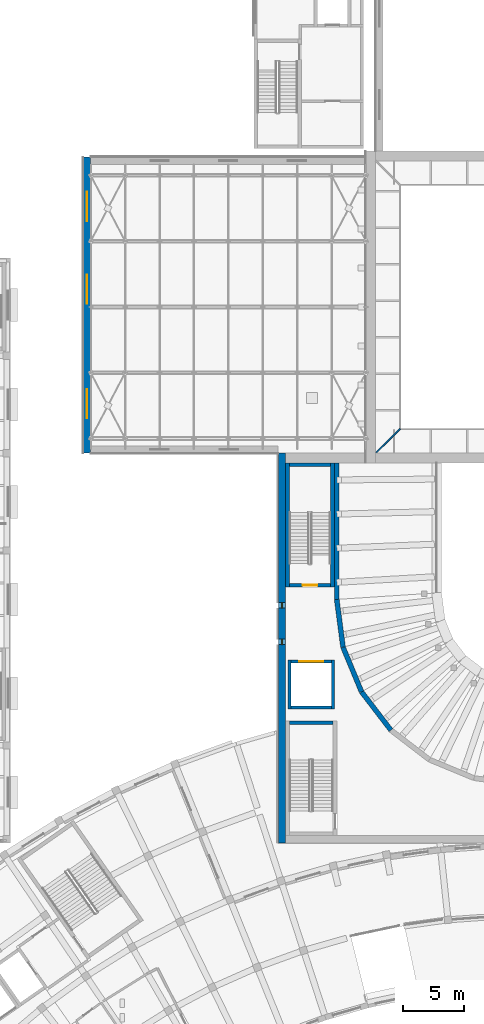
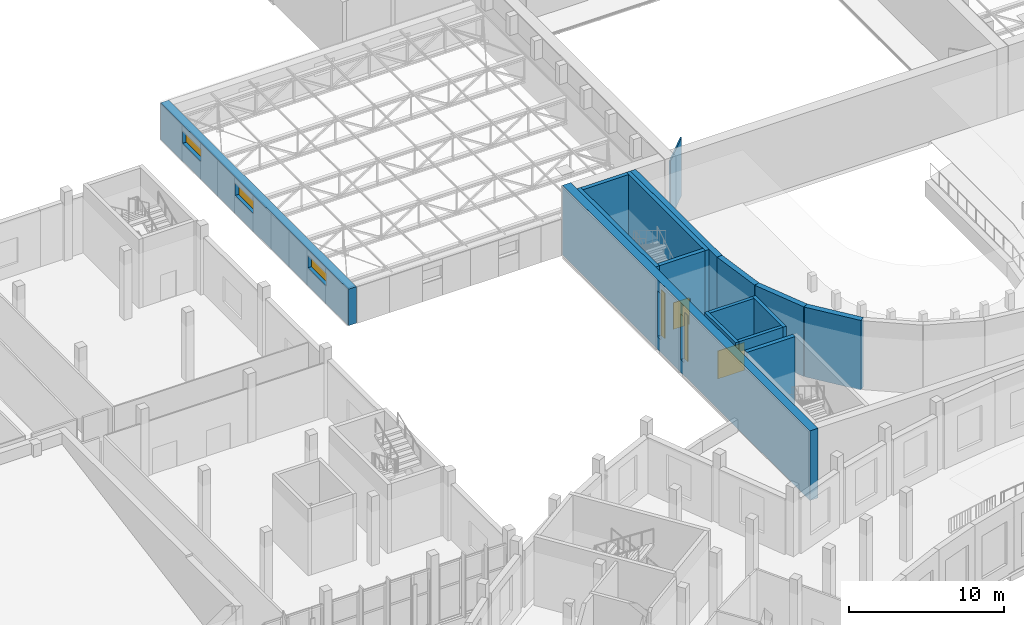
# One storey, part 75 of 132: 16 walls, 5 windows, 2 doors, 7 openings.
"""IFC4 building model written with IfcOpenShell, lengths in metres."""

from ifc_helpers import new_model, si_unit, direction, frame, frame_2d, origin, place, context, subcontext, project, spatial, rectangle, extrude, material, layer, layer_set, type_object, element, fill, save


model = new_model("IFC4")

# Units and contexts
model_context = context("Model", 3, precision=1e-05, world=origin(), true_north=direction((0.0, 1.0)))
body_context = subcontext(model_context, "Body", "Model", "MODEL_VIEW")
ifc_project = project(units=[si_unit("LENGTHUNIT", "METRE"), si_unit("AREAUNIT", "SQUARE_METRE"), si_unit("VOLUMEUNIT", "CUBIC_METRE"), si_unit("PLANEANGLEUNIT", "RADIAN"), si_unit("MASSUNIT", "GRAM", prefix="KILO")], contexts=[model_context])

# Site, building, storey
site_placement = place(None, origin())
site = spatial("IfcSite", under=ifc_project, at=site_placement, CompositionType="ELEMENT")
building_placement = place(site_placement, origin())
building = spatial("IfcBuilding", under=site, at=building_placement, Name="Lunette Opera House", CompositionType="ELEMENT")
storey_placement = place(building_placement, frame((0.0, 0.0, 17.0)))
storey = spatial("IfcBuildingStorey", under=building, at=storey_placement, Name="L03", CompositionType="ELEMENT", Elevation=17.0)

# Wall
ifc_material_1 = material(Name="Concrete C35/45", Category="concrete")
ifc_layer_1 = layer(ifc_material_1, 0.25)
ifc_layer_set_1 = layer_set([ifc_layer_1], Name="Concrete C35/45")
wall_type_1 = type_object("IfcWallType", Name="RC LIFT SHAFT WALL 250", PredefinedType="SOLIDWALL", material=ifc_layer_set_1)
wall_1_placement = place(storey_placement, frame((80.47509765625, 75.0, 0.0), z_axis=(0.0, 0.0, 1.0), x_axis=(0.0, 1.0, 0.0)))
element("IfcWall", 1, at=wall_1_placement, inside=storey, type_object=wall_type_1, Name="LF4 shaft wall 1", PredefinedType="SOLIDWALL", context=body_context, shape_type="SweptSolid", body=[
    extrude(rectangle(XDim=4.0, YDim=0.25, at=frame_2d((2.0, 0.0))), origin(), (0.0, 0.0, 1.0), 5.5),
])

# Wall, opening, door
wall_2_placement = place(storey_placement, frame((80.35009765625, 78.875, 0.0), z_axis=(0.0, 0.0, 1.0), x_axis=(-1.0, 0.0, 0.0)))
wall_2 = element("IfcWall", 2, at=wall_2_placement, inside=storey, type_object=wall_type_1, Name="LF4 shaft wall 2", PredefinedType="SOLIDWALL", context=body_context, shape_type="SweptSolid", body=[
    extrude(rectangle(XDim=3.300048828125, YDim=0.25, at=frame_2d((1.64990234375, 0.0))), origin(), (0.0, 0.0, 1.0), 5.5),
])
opening_1_placement = place(wall_2_placement, frame((0.64990234375, 0.0, 0.0)))
opening_1 = element("IfcOpeningElement", 3, at=opening_1_placement, cuts=wall_2, Name="Opening AU-LD009", PredefinedType="OPENING", context=body_context, shape_type="SweptSolid", body=[
    extrude(rectangle(XDim=2.0, YDim=2.199951171875, at=frame_2d((1.0, 1.10009765625))), frame((0.0, 0.136962890625, 0.0), z_axis=(0.0, -1.0, 0.0), x_axis=(1.0, 0.0, 0.0)), (0.0, 0.0, 1.0), 0.27392578125),
])
ifc_material_2 = material(Name="Stainless steel", Category="steel")
door_type_1 = type_object("IfcDoorType", Name="LIFT LANDING DOOR 2000 X 2200", OperationType="DOUBLE_DOOR_SLIDING", PredefinedType="DOOR", material=ifc_material_2)
door_1_placement = place(opening_1_placement, origin())
door_1 = element("IfcDoor", 4, at=door_1_placement, inside=storey, type_object=door_type_1, Name="LF4 lift landing door", OperationType="DOUBLE_DOOR_SLIDING", OverallHeight=2.199951171875, OverallWidth=2.0, PredefinedType="DOOR", context=body_context, shape_type="SweptSolid", body=[
    extrude(rectangle(XDim=2.0, YDim=2.199951171875, at=frame_2d((1.0, 1.10009765625))), frame((0.0, 0.02490234375, 0.0), z_axis=(0.0, -1.0, 0.0), x_axis=(1.0, 0.0, 0.0)), (0.0, 0.0, 1.0), 0.050048828125),
])
fill(opening_1, door_1)

# Walls
wall_3_placement = place(storey_placement, frame((76.925048828125, 79.0, 0.0), z_axis=(0.0, 0.0, 1.0), x_axis=(0.0, -1.0, 0.0)))
element("IfcWall", 5, at=wall_3_placement, inside=storey, type_object=wall_type_1, Name="LF4 shaft wall 3", PredefinedType="SOLIDWALL", context=body_context, shape_type="SweptSolid", body=[
    extrude(rectangle(XDim=4.0, YDim=0.25, at=frame_2d((2.0, 0.0))), origin(), (0.0, 0.0, 1.0), 5.5),
])
wall_4_placement = place(storey_placement, frame((77.050048828125, 75.125, 0.0), z_axis=(0.0, 0.0, 1.0), x_axis=(1.0, 0.0, 0.0)))
element("IfcWall", 6, at=wall_4_placement, inside=storey, type_object=wall_type_1, Name="LF4 shaft wall 4", PredefinedType="SOLIDWALL", context=body_context, shape_type="SweptSolid", body=[
    extrude(rectangle(XDim=3.300048828125, YDim=0.25, at=frame_2d((1.64990234375, 0.0))), origin(), (0.0, 0.0, 1.0), 5.5),
])
ifc_material_3 = material(Name="Concrete C35/45", Category="concrete")
ifc_layer_2 = layer(ifc_material_3, 0.300048828125)
ifc_layer_set_2 = layer_set([ifc_layer_2], Name="Concrete C35/45")
wall_type_2 = type_object("IfcWallType", Name="RC STAIR ENCLOSURE WALL 300", PredefinedType="SOLIDWALL", material=ifc_layer_set_2)
wall_5_placement = place(storey_placement, frame((80.449951171875, 85.0, 0.0), z_axis=(0.0, 0.0, 1.0), x_axis=(0.0, 1.0, 0.0)))
element("IfcWall", 7, at=wall_5_placement, inside=storey, type_object=wall_type_2, Name="ST10 enclosure wall 1", PredefinedType="SOLIDWALL", context=body_context, shape_type="SweptSolid", body=[
    extrude(rectangle(XDim=10.199951171875, YDim=0.300048828125, at=frame_2d((5.10009765625, 0.0))), origin(), (0.0, 0.0, 1.0), 5.5),
])
wall_6_placement = place(storey_placement, frame((80.300048828125, 95.050048828125, 0.0), z_axis=(0.0, 0.0, 1.0), x_axis=(-1.0, 0.0, 0.0)))
element("IfcWall", 8, at=wall_6_placement, inside=storey, type_object=wall_type_2, Name="ST10 enclosure wall 2", PredefinedType="SOLIDWALL", context=body_context, shape_type="SweptSolid", body=[
    extrude(rectangle(XDim=3.400146484375, YDim=0.300048828125, at=frame_2d((1.7001953125, 0.0))), origin(), (0.0, 0.0, 1.0), 5.5),
])
wall_7_placement = place(storey_placement, frame((76.75, 95.199951171875, 0.0), z_axis=(0.0, 0.0, 1.0), x_axis=(0.0, -1.0, 0.0)))
element("IfcWall", 9, at=wall_7_placement, inside=storey, type_object=wall_type_2, Name="ST10 enclosure wall 3", PredefinedType="SOLIDWALL", context=body_context, shape_type="SweptSolid", body=[
    extrude(rectangle(XDim=10.199951171875, YDim=0.300048828125, at=frame_2d((5.10009765625, 0.0))), origin(), (0.0, 0.0, 1.0), 5.5),
])

# Wall, opening, door
wall_8_placement = place(storey_placement, frame((76.89990234375, 85.14990234375, 0.0), z_axis=(0.0, 0.0, 1.0), x_axis=(1.0, 0.0, 0.0)))
wall_8 = element("IfcWall", 10, at=wall_8_placement, inside=storey, type_object=wall_type_2, Name="ST10 enclosure wall 4", PredefinedType="SOLIDWALL", context=body_context, shape_type="SweptSolid", body=[
    extrude(rectangle(XDim=3.400146484375, YDim=0.300048828125, at=frame_2d((1.7001953125, 0.0))), origin(), (0.0, 0.0, 1.0), 5.5),
])
opening_2_placement = place(wall_8_placement, frame((1.10009765625, 0.0, 0.0)))
opening_2 = element("IfcOpeningElement", 11, at=opening_2_placement, cuts=wall_8, Name="Opening AU-D7005", PredefinedType="OPENING", context=body_context, shape_type="SweptSolid", body=[
    extrude(rectangle(XDim=1.199951171875, YDim=2.10009765625, at=frame_2d((0.60009765625, 1.050048828125))), frame((0.0, 0.162109375, 0.0), z_axis=(0.0, -1.0, 0.0), x_axis=(1.0, 0.0, 0.0)), (0.0, 0.0, 1.0), 0.323974609375),
])
ifc_material_4 = material(Name="Steel", Category="steel")
door_type_2 = type_object("IfcDoorType", Name="FIRE DOOR 1200 X 2100", OperationType="SINGLE_SWING_LEFT", PredefinedType="DOOR", material=ifc_material_4)
door_2_placement = place(opening_2_placement, origin())
door_2 = element("IfcDoor", 12, at=door_2_placement, inside=storey, type_object=door_type_2, Name="ST10 stair door", OperationType="SINGLE_SWING_LEFT", OverallHeight=2.10009765625, OverallWidth=1.199951171875, PredefinedType="DOOR", context=body_context, shape_type="SweptSolid", body=[
    extrude(rectangle(XDim=1.199951171875, YDim=2.10009765625, at=frame_2d((0.60009765625, 1.050048828125))), frame((0.0, 0.02490234375, 0.0), z_axis=(0.0, -1.0, 0.0), x_axis=(1.0, 0.0, 0.0)), (0.0, 0.0, 1.0), 0.050048828125),
])
fill(opening_2, door_2)

# Walls
wall_9_placement = place(storey_placement, frame((80.5, 73.85009765625, 0.0), z_axis=(0.0, 0.0, 1.0), x_axis=(-1.0, 0.0, 0.0)))
element("IfcWall", 13, at=wall_9_placement, inside=storey, type_object=wall_type_2, Name="ST7 enclosure wall 2", PredefinedType="SOLIDWALL", context=body_context, shape_type="SweptSolid", body=[
    extrude(rectangle(XDim=3.60009765625, YDim=0.300048828125, at=frame_2d((1.800048828125, 0.0))), origin(), (0.0, 0.0, 1.0), 5.5),
])
ifc_material_5 = material(Name="Concrete C35/45", Category="concrete")
ifc_layer_3 = layer(ifc_material_5, 0.39990234375)
ifc_layer_set_3 = layer_set([ifc_layer_3], Name="Concrete C35/45")
wall_type_3 = type_object("IfcWallType", Name="RC WALL 400", PredefinedType="SHEAR", material=ifc_layer_set_3)
wall_10_placement = place(storey_placement, frame((80.800048828125, 95.199951171875, 0.0), z_axis=(0.0, 0.0, 1.0), x_axis=(0.0, -1.0, 0.0)))
element("IfcWall", 14, at=wall_10_placement, inside=storey, type_object=wall_type_3, Name="wall-AU-L03-HW01", PredefinedType="SHEAR", context=body_context, shape_type="SweptSolid", body=[
    extrude(rectangle(XDim=11.212890625, YDim=0.39990234375, at=frame_2d((5.6064453125, 0.0))), origin(), (0.0, 0.0, 1.0), 5.5),
])
wall_11_placement = place(storey_placement, frame((80.800048828125, 83.987060546875, 0.0), z_axis=(0.0, 0.0, 1.0), x_axis=(0.130436947249, -0.991456606611, 0.0)))
element("IfcWall", 15, at=wall_11_placement, inside=storey, type_object=wall_type_3, Name="wall-AU-L03-HW02", PredefinedType="SHEAR", context=body_context, shape_type="SweptSolid", body=[
    extrude(rectangle(XDim=3.954833984375, YDim=0.39990234375, at=frame_2d((1.9775390625, 0.0))), origin(), (0.0, 0.0, 1.0), 5.5),
])
wall_12_placement = place(storey_placement, frame((81.31591796875, 80.06591796875, 0.0), z_axis=(0.0, 0.0, 1.0), x_axis=(0.38271032831, -0.923868391388, 0.0)))
element("IfcWall", 16, at=wall_12_placement, inside=storey, type_object=wall_type_3, Name="wall-AU-L03-HW03", PredefinedType="SHEAR", context=body_context, shape_type="SweptSolid", body=[
    extrude(rectangle(XDim=3.96923828125, YDim=0.39990234375, at=frame_2d((1.984619140625, 0.0))), origin(), (0.0, 0.0, 1.0), 5.5),
])
wall_13_placement = place(storey_placement, frame((82.8349609375, 76.39892578125, 0.0), z_axis=(0.0, 0.0, 1.0), x_axis=(0.608568439888, -0.793501388766, 0.0)))
element("IfcWall", 17, at=wall_13_placement, inside=storey, type_object=wall_type_3, Name="wall-AU-L03-HW04", PredefinedType="SHEAR", context=body_context, shape_type="SweptSolid", body=[
    extrude(rectangle(XDim=3.968505859375, YDim=0.39990234375, at=frame_2d((1.984375, 0.0))), origin(), (0.0, 0.0, 1.0), 5.5),
])

# Wall, openings, windows
ifc_material_6 = material(Name="Concrete C35/45", Category="concrete")
ifc_layer_4 = layer(ifc_material_6, 0.60009765625)
ifc_layer_set_4 = layer_set([ifc_layer_4], Name="Concrete C35/45")
wall_type_4 = type_object("IfcWallType", Name="RC WALL 600", PredefinedType="SHEAR", material=ifc_layer_set_4)
wall_14_placement = place(storey_placement, frame((76.300048828125, 64.0, 0.0), z_axis=(0.0, 0.0, 1.0), x_axis=(0.0, 1.0, 0.0)))
wall_14 = element("IfcWall", 18, at=wall_14_placement, inside=storey, type_object=wall_type_4, Name="wall-AU-L03-WL", PredefinedType="SHEAR", context=body_context, shape_type="SweptSolid", body=[
    extrude(rectangle(XDim=32.0, YDim=0.60009765625, at=frame_2d((16.0, 0.0))), origin(), (0.0, 0.0, 1.0), 5.5),
])
opening_3_placement = place(wall_14_placement, frame((16.27490234375, 0.0, 1.0)))
opening_3 = element("IfcOpeningElement", 19, at=opening_3_placement, cuts=wall_14, Name="Opening AU-N2003", PredefinedType="OPENING", context=body_context, shape_type="SweptSolid", body=[
    extrude(rectangle(XDim=0.449951171875, YDim=3.60009765625, at=frame_2d((0.22509765625, 1.800048828125))), frame((0.0, 0.31201171875, 0.0), z_axis=(0.0, -1.0, 0.0), x_axis=(1.0, 0.0, 0.0)), (0.0, 0.0, 1.0), 0.6240234375),
])
opening_4_placement = place(wall_14_placement, frame((19.27490234375, 0.0, 1.0)))
opening_4 = element("IfcOpeningElement", 20, at=opening_4_placement, cuts=wall_14, Name="Opening AU-N2004", PredefinedType="OPENING", context=body_context, shape_type="SweptSolid", body=[
    extrude(rectangle(XDim=0.449951171875, YDim=3.60009765625, at=frame_2d((0.22509765625, 1.800048828125))), frame((0.0, 0.31201171875, 0.0), z_axis=(0.0, -1.0, 0.0), x_axis=(1.0, 0.0, 0.0)), (0.0, 0.0, 1.0), 0.6240234375),
])
ifc_material_7 = material(Name="Aluminium", Category="aluminium")
window_type_1 = type_object("IfcWindowType", Name="SLIT WINDOW 450 X 3600", PartitioningType="SINGLE_PANEL", PredefinedType="WINDOW", material=ifc_material_7)
window_1_placement = place(opening_3_placement, origin())
window_1 = element("IfcWindow", 21, at=window_1_placement, inside=storey, type_object=window_type_1, Name="Slit Window 450 X 3600 WL-SL805 L03", OverallHeight=3.60009765625, OverallWidth=0.449951171875, PartitioningType="SINGLE_PANEL", PredefinedType="WINDOW", context=body_context, shape_type="SweptSolid", body=[
    extrude(rectangle(XDim=0.449951171875, YDim=3.60009765625, at=frame_2d((0.22509765625, 1.800048828125))), frame((0.0, 0.030029296875, 0.0), z_axis=(0.0, -1.0, 0.0), x_axis=(1.0, 0.0, 0.0)), (0.0, 0.0, 1.0), 0.06005859375),
])
fill(opening_3, window_1)
window_2_placement = place(opening_4_placement, origin())
window_2 = element("IfcWindow", 22, at=window_2_placement, inside=storey, type_object=window_type_1, Name="Slit Window 450 X 3600 WL-SL835 L03", OverallHeight=3.60009765625, OverallWidth=0.449951171875, PartitioningType="SINGLE_PANEL", PredefinedType="WINDOW", context=body_context, shape_type="SweptSolid", body=[
    extrude(rectangle(XDim=0.449951171875, YDim=3.60009765625, at=frame_2d((0.22509765625, 1.800048828125))), frame((0.0, 0.030029296875, 0.0), z_axis=(0.0, -1.0, 0.0), x_axis=(1.0, 0.0, 0.0)), (0.0, 0.0, 1.0), 0.06005859375),
])
fill(opening_4, window_2)

wall_15_placement = place(storey_placement, frame((60.300048828125, 96.0, 0.0), z_axis=(0.0, 0.0, 1.0), x_axis=(0.0, 1.0, 0.0)))
wall_15 = element("IfcWall", 23, at=wall_15_placement, inside=storey, type_object=wall_type_4, Name="wall-ST-L03-SW-W-1", PredefinedType="SHEAR", context=body_context, shape_type="SweptSolid", body=[
    extrude(rectangle(XDim=24.300048828125, YDim=0.60009765625, at=frame_2d((12.14990234375, 0.0))), origin(), (0.0, 0.0, 1.0), 2.8798828125),
])
opening_5_placement = place(wall_15_placement, frame((2.85009765625, 0.0, 1.39990234375)))
opening_5 = element("IfcOpeningElement", 24, at=opening_5_placement, cuts=wall_15, Name="Opening ST-N2084", PredefinedType="OPENING", context=body_context, shape_type="SweptSolid", body=[
    extrude(rectangle(XDim=2.39990234375, YDim=1.0, at=frame_2d((1.199951171875, 0.5))), frame((0.0, 0.31201171875, 0.0), z_axis=(0.0, -1.0, 0.0), x_axis=(1.0, 0.0, 0.0)), (0.0, 0.0, 1.0), 0.6240234375),
])
opening_6_placement = place(wall_15_placement, frame((12.25, 0.0, 1.39990234375)))
opening_6 = element("IfcOpeningElement", 25, at=opening_6_placement, cuts=wall_15, Name="Opening ST-N2085", PredefinedType="OPENING", context=body_context, shape_type="SweptSolid", body=[
    extrude(rectangle(XDim=2.39990234375, YDim=1.0, at=frame_2d((1.199951171875, 0.5))), frame((0.0, 0.31201171875, 0.0), z_axis=(0.0, -1.0, 0.0), x_axis=(1.0, 0.0, 0.0)), (0.0, 0.0, 1.0), 0.6240234375),
])
opening_7_placement = place(wall_15_placement, frame((19.050048828125, 0.0, 1.39990234375)))
opening_7 = element("IfcOpeningElement", 26, at=opening_7_placement, cuts=wall_15, Name="Opening ST-N2086", PredefinedType="OPENING", context=body_context, shape_type="SweptSolid", body=[
    extrude(rectangle(XDim=2.39990234375, YDim=1.0, at=frame_2d((1.199951171875, 0.5))), frame((0.0, 0.31201171875, 0.0), z_axis=(0.0, -1.0, 0.0), x_axis=(1.0, 0.0, 0.0)), (0.0, 0.0, 1.0), 0.6240234375),
])
ifc_material_8 = material(Name="Aluminium", Category="aluminium")
window_type_2 = type_object("IfcWindowType", Name="STAGE CLERESTORY WINDOW 2400 X 1000", PartitioningType="SINGLE_PANEL", PredefinedType="WINDOW", material=ifc_material_8)
window_3_placement = place(opening_5_placement, origin())
window_3 = element("IfcWindow", 27, at=window_3_placement, inside=storey, type_object=window_type_2, Name="Stage Clerestory Window 2400 X 1000 SW-W1 L03", OverallHeight=1.0, OverallWidth=2.39990234375, PartitioningType="SINGLE_PANEL", PredefinedType="WINDOW", context=body_context, shape_type="SweptSolid", body=[
    extrude(rectangle(XDim=2.39990234375, YDim=1.0, at=frame_2d((1.199951171875, 0.5))), frame((0.0, 0.030029296875, 0.0), z_axis=(0.0, -1.0, 0.0), x_axis=(1.0, 0.0, 0.0)), (0.0, 0.0, 1.0), 0.06005859375),
])
fill(opening_5, window_3)
window_4_placement = place(opening_6_placement, origin())
window_4 = element("IfcWindow", 28, at=window_4_placement, inside=storey, type_object=window_type_2, Name="Stage Clerestory Window 2400 X 1000 SW-W2 L03", OverallHeight=1.0, OverallWidth=2.39990234375, PartitioningType="SINGLE_PANEL", PredefinedType="WINDOW", context=body_context, shape_type="SweptSolid", body=[
    extrude(rectangle(XDim=2.39990234375, YDim=1.0, at=frame_2d((1.199951171875, 0.5))), frame((0.0, 0.030029296875, 0.0), z_axis=(0.0, -1.0, 0.0), x_axis=(1.0, 0.0, 0.0)), (0.0, 0.0, 1.0), 0.06005859375),
])
fill(opening_6, window_4)
window_5_placement = place(opening_7_placement, origin())
window_5 = element("IfcWindow", 29, at=window_5_placement, inside=storey, type_object=window_type_2, Name="Stage Clerestory Window 2400 X 1000 SW-W3 L03", OverallHeight=1.0, OverallWidth=2.39990234375, PartitioningType="SINGLE_PANEL", PredefinedType="WINDOW", context=body_context, shape_type="SweptSolid", body=[
    extrude(rectangle(XDim=2.39990234375, YDim=1.0, at=frame_2d((1.199951171875, 0.5))), frame((0.0, 0.030029296875, 0.0), z_axis=(0.0, -1.0, 0.0), x_axis=(1.0, 0.0, 0.0)), (0.0, 0.0, 1.0), 0.06005859375),
])
fill(opening_7, window_5)

# Wall
ifc_material_9 = material(Name="Gypsum board on steel studs", Category="steel")
ifc_layer_5 = layer(ifc_material_9, 0.10009765625)
ifc_layer_set_5 = layer_set([ifc_layer_5], Name="Gypsum board on steel studs")
wall_type_5 = type_object("IfcWallType", Name="STUD PARTITION 100", PredefinedType="PARTITIONING", material=ifc_layer_set_5)
wall_16_placement = place(storey_placement, frame((86.0, 98.0, 0.0), z_axis=(0.0, 0.0, 1.0), x_axis=(-0.707106781187, -0.707106781187, 0.0)))
element("IfcWall", 30, at=wall_16_placement, inside=storey, type_object=wall_type_5, Name="Partition Fly Gallery 17 South", PredefinedType="PARTITIONING", context=body_context, shape_type="SweptSolid", body=[
    extrude(rectangle(XDim=2.757568359375, YDim=0.10009765625, at=frame_2d((1.37890625, 0.0))), origin(), (0.0, 0.0, 1.0), 4.60009765625),
])

save(model, "model.ifc")
